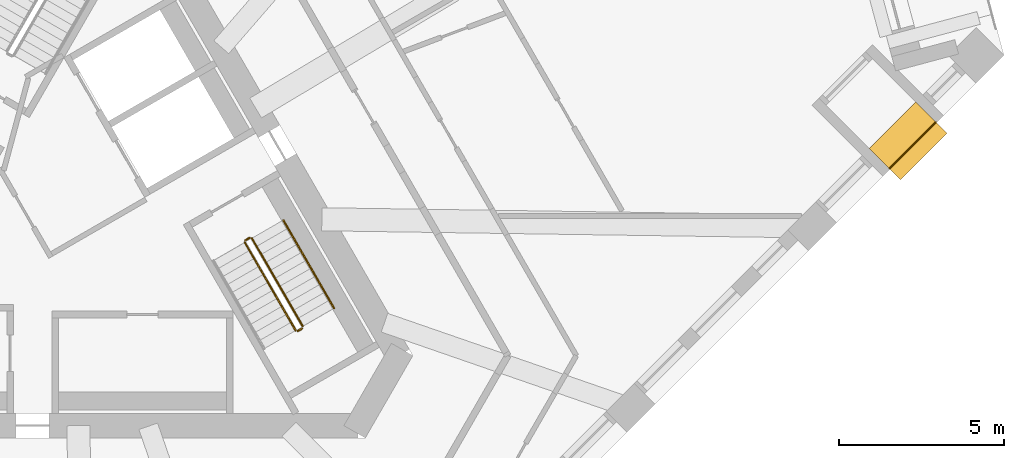
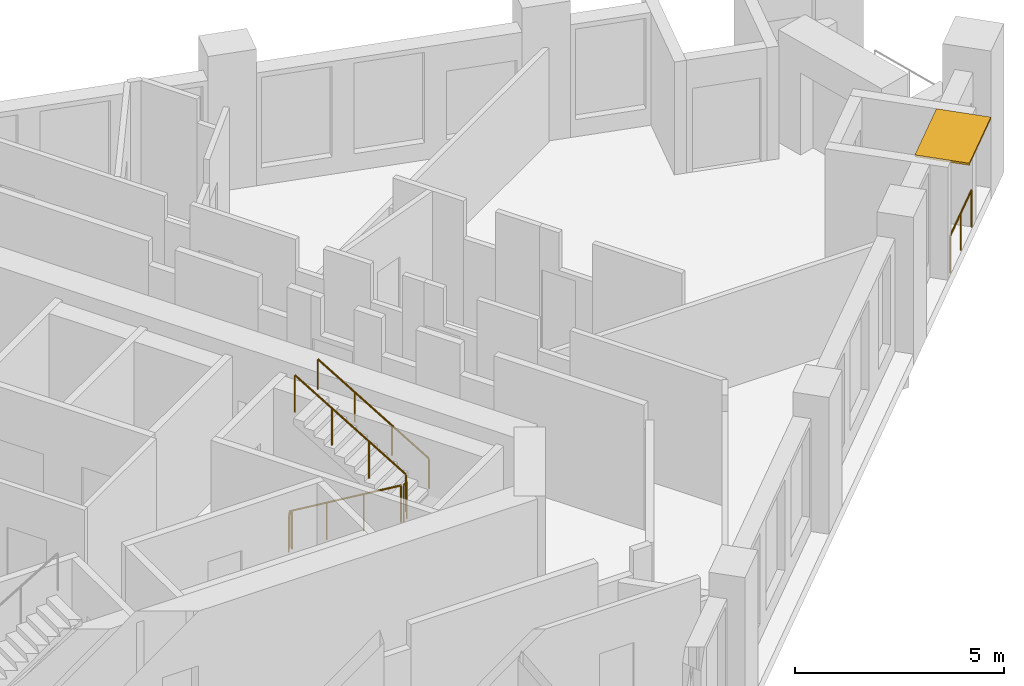
# One storey, part 11 of 13: 6 railings, 1 shading device.
"""IFC4 building model written with IfcOpenShell, lengths in metres."""

from ifc_helpers import new_model, si_unit, direction, frame, origin, origin_2d, place, context, subcontext, project, spatial, rectangle, circle, extrude, material, layer, layer_set, type_object, element, save


model = new_model("IFC4")

# Units and contexts
model_context = context("Model", 3, precision=1e-05, world=origin(), true_north=direction((0.0, 1.0)))
body_context = subcontext(model_context, "Body", "Model", "MODEL_VIEW")
ifc_project = project(units=[si_unit("LENGTHUNIT", "METRE"), si_unit("AREAUNIT", "SQUARE_METRE"), si_unit("VOLUMEUNIT", "CUBIC_METRE"), si_unit("PLANEANGLEUNIT", "RADIAN"), si_unit("MASSUNIT", "GRAM", prefix="KILO")], contexts=[model_context])

# Site, building, storey
site_placement = place(None, origin())
site = spatial("IfcSite", under=ifc_project, at=site_placement, CompositionType="ELEMENT")
building_placement = place(site_placement, origin())
building = spatial("IfcBuilding", under=site, at=building_placement, Name="Tramontana Tower", CompositionType="ELEMENT")
storey_placement = place(building_placement, frame((0.0, 0.0, 200.0)))
storey = spatial("IfcBuildingStorey", under=building, at=storey_placement, Name="L46", CompositionType="ELEMENT", Elevation=200.0)

# Railing
ifc_material_1 = material(Name="Laminated glass balustrade", Category="glass")
railing_type_1 = type_object("IfcRailingType", Name="GD1 Loggia glass balustrade 1100", PredefinedType="BALUSTRADE", material=ifc_material_1)
railing_1_placement = place(storey_placement, frame((24.718017578125, 1.426025390625, 0.0)))
element("IfcRailing", 1, at=railing_1_placement, inside=storey, type_object=railing_type_1, Name="Loggia balustrade L46 G5S1.16", PredefinedType="BALUSTRADE", context=body_context, shape_type="SweptSolid", body=[
    extrude(circle(Radius=0.02392578125, at=origin_2d()), frame((0.0, 0.0, 1.076171875), z_axis=(0.707106781187, 0.707106781187, 0.0), x_axis=(-0.707106781187, 0.707106781187, 0.0)), (0.0, 0.0, 1.0), 1.998046875),
    extrude(circle(Radius=0.02099609375, at=origin_2d()), origin(), (0.0, 0.0, 1.0), 1.052001953125),
    extrude(circle(Radius=0.02099609375, at=origin_2d()), frame((0.70654296875, 0.70654296875, 0.0)), (0.0, 0.0, 1.0), 1.052001953125),
    extrude(circle(Radius=0.02099609375, at=origin_2d()), frame((1.412841796875, 1.412841796875, 0.0)), (0.0, 0.0, 1.0), 1.052001953125),
])

# Shading device
ifc_material_2 = material(Name="Precast concrete 60 MPa", Category="concrete")
ifc_layer = layer(ifc_material_2, 0.06005859375)
ifc_layer_set = layer_set([ifc_layer], Name="SS1 Stone sunshade blade 60")
shading_device_type = type_object("IfcShadingDeviceType", Name="SS1 Stone sunshade blade 60", PredefinedType="USERDEFINED", material=ifc_layer_set)
shading_device_placement = place(storey_placement, frame((25.28662109375, 2.270263671875, 3.239990234375), z_axis=(0.0, 0.0, 1.0), x_axis=(0.707106781187, 0.707106781187, 0.0)))
element("IfcShadingDevice", 2, at=shading_device_placement, inside=storey, type_object=shading_device_type, Name="Sunshade L46 G5S1.16", ObjectType="SUNSHADE", PredefinedType="USERDEFINED", context=body_context, shape_type="SweptSolid", body=[
    extrude(rectangle(XDim=1.998046875, YDim=1.35009765625, at=origin_2d()), origin(), (0.0, 0.0, 1.0), 0.06005859375),
])

# Railings
ifc_material_3 = material(Name="Painted steel", Category="steel")
railing_type_2 = type_object("IfcRailingType", Name="STAIR GUARD 1100", PredefinedType="GUARDRAIL", material=ifc_material_3)
railing_2_placement = place(storey_placement, frame((5.1474609375, -0.815673828125, 0.166748046875)))
element("IfcRailing", 3, at=railing_2_placement, inside=storey, type_object=railing_type_2, Name="L46 ST3 stair guard 1", PredefinedType="GUARDRAIL", context=body_context, shape_type="SweptSolid", body=[
    extrude(circle(Radius=0.02392578125, at=origin_2d()), frame((0.0, 0.0, 1.076171875), z_axis=(0.429671193721, -0.744159446956, 0.511477646425), x_axis=(0.866010015463, 0.500026652407, 0.0)), (0.0, 0.0, 1.0), 3.584228515625),
    extrude(circle(Radius=0.02099609375, at=origin_2d()), origin(), (0.0, 0.0, 1.0), 1.052001953125),
    extrude(circle(Radius=0.02099609375, at=origin_2d()), frame((0.513427734375, -0.88916015625, 0.611083984375)), (0.0, 0.0, 1.0), 1.052001953125),
    extrude(circle(Radius=0.02099609375, at=origin_2d()), frame((1.026611328125, -1.778076171875, 1.22216796875)), (0.0, 0.0, 1.0), 1.052001953125),
    extrude(circle(Radius=0.02099609375, at=origin_2d()), frame((1.5400390625, -2.667236328125, 1.833251953125)), (0.0, 0.0, 1.0), 1.052001953125),
])
railing_3_placement = place(storey_placement, frame((6.90380859375, -3.35791015625, 2.166748046875)))
element("IfcRailing", 4, at=railing_3_placement, inside=storey, type_object=railing_type_2, Name="L46 ST3 stair guard 2", PredefinedType="GUARDRAIL", context=body_context, shape_type="SweptSolid", body=[
    extrude(circle(Radius=0.02392578125, at=origin_2d()), frame((0.0, 0.0, 1.076171875), z_axis=(-0.429615651263, 0.74418122563, 0.511492615401), x_axis=(-0.866044340336, -0.499967199496, 0.0)), (0.0, 0.0, 1.0), 3.584228515625),
    extrude(circle(Radius=0.02099609375, at=origin_2d()), origin(), (0.0, 0.0, 1.0), 1.052001953125),
    extrude(circle(Radius=0.02099609375, at=origin_2d()), frame((-0.51318359375, 0.88916015625, 0.611083984375)), (0.0, 0.0, 1.0), 1.052001953125),
    extrude(circle(Radius=0.02099609375, at=origin_2d()), frame((-1.026611328125, 1.778076171875, 1.22216796875)), (0.0, 0.0, 1.0), 1.052001953125),
    extrude(circle(Radius=0.02099609375, at=origin_2d()), frame((-1.539794921875, 2.667236328125, 1.833251953125)), (0.0, 0.0, 1.0), 1.052001953125),
])
for number, where, name in (
    (5, (6.755615234375, -3.501220703125, 2.0), "L46 ST3 stair guard 3"),
    (6, (5.165771484375, -0.747314453125, 0.0), "L46 ST3 stair guard 4"),
):
    element("IfcRailing", number, at=place(storey_placement, frame(where)), inside=storey, type_object=railing_type_2, Name=name, PredefinedType="GUARDRAIL", context=body_context, shape_type="SweptSolid", body=[
        extrude(circle(Radius=0.02392578125, at=origin_2d()), frame((0.0, 0.0, 1.076171875), z_axis=(0.866131372301, 0.499816412211, 0.0), x_axis=(-0.499816412211, 0.866131372301, 0.0)), (0.0, 0.0, 1.0), 0.14990234375),
        extrude(circle(Radius=0.02099609375, at=origin_2d()), origin(), (0.0, 0.0, 1.0), 1.052001953125),
        extrude(circle(Radius=0.02099609375, at=origin_2d()), frame((0.1298828125, 0.074951171875, 0.0)), (0.0, 0.0, 1.0), 1.052001953125),
    ])
ifc_material_4 = material(Name="Painted steel", Category="steel")
railing_type_3 = type_object("IfcRailingType", Name="STAIR HANDRAIL 900", PredefinedType="HANDRAIL", material=ifc_material_4)
railing_4_placement = place(storey_placement, frame((7.8564453125, -2.807861328125, 2.166748046875)))
element("IfcRailing", 7, at=railing_4_placement, inside=storey, type_object=railing_type_3, Name="L46 ST3 stair handrail 2", PredefinedType="HANDRAIL", context=body_context, shape_type="SweptSolid", body=[
    extrude(circle(Radius=0.02392578125, at=origin_2d()), frame((0.0, 0.0, 0.8759765625), z_axis=(-0.429615651263, 0.74418122563, 0.511492615401), x_axis=(-0.866044340336, -0.499967199496, 0.0)), (0.0, 0.0, 1.0), 3.584228515625),
    extrude(circle(Radius=0.02099609375, at=origin_2d()), origin(), (0.0, 0.0, 1.0), 0.851806640625),
    extrude(circle(Radius=0.02099609375, at=origin_2d()), frame((-0.51318359375, 0.88916015625, 0.611083984375)), (0.0, 0.0, 1.0), 0.851806640625),
    extrude(circle(Radius=0.02099609375, at=origin_2d()), frame((-1.026611328125, 1.778076171875, 1.22216796875)), (0.0, 0.0, 1.0), 0.851806640625),
    extrude(circle(Radius=0.02099609375, at=origin_2d()), frame((-1.539794921875, 2.667236328125, 1.833251953125)), (0.0, 0.0, 1.0), 0.851806640625),
])

save(model, "model.ifc")
